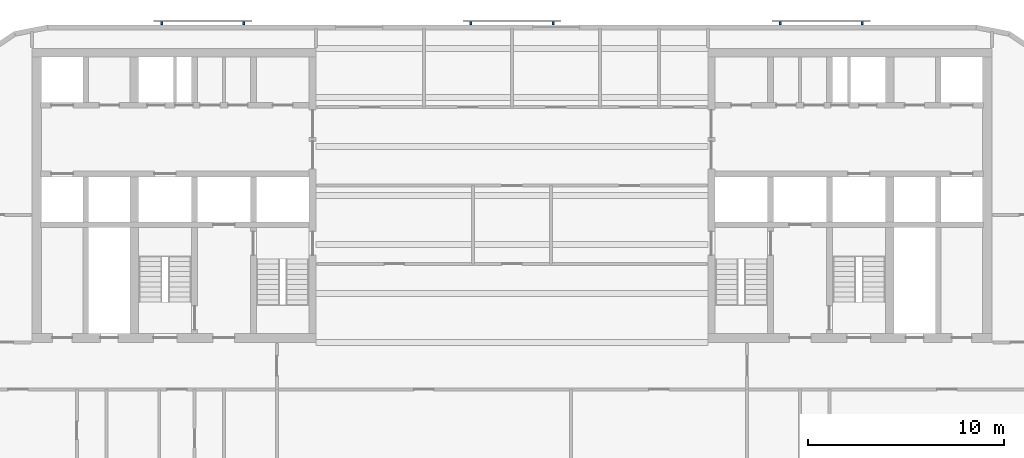
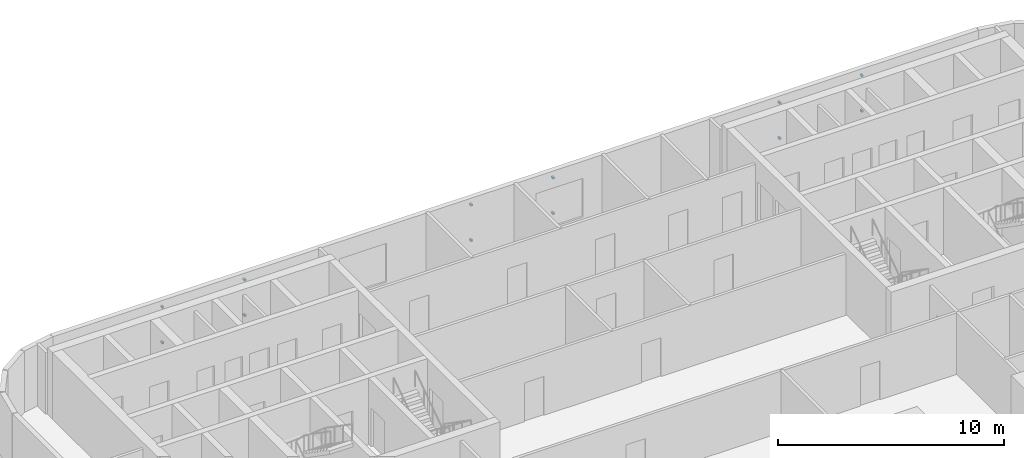
# One storey, part 8 of 11: 12 discrete accessories.
"""IFC4 building model written with IfcOpenShell, lengths in metres."""

import ifcopenshell
import ifcopenshell.guid

model = None  # the IFC model being written
_history = None  # IfcOwnerHistory: only IFC2X3 demands one
_inside = {}  # id of a spatial element -> (the spatial element, [elements in it])
_under = {}  # id of a project, library or spatial element -> (it, [spatial elements below it])
_declared = {}  # id of a project -> (the project, [libraries it declares])
_typed = {}  # id of a type object -> (the type object, [elements of that type])
_made_of = {}  # id of a material, layer set ... -> (it, [elements and type objects made of it])


def new_model(schema):
    """Start an empty IFC model of exactly this schema.

    Asked for "IFC4X3", IfcOpenShell would pick the latest addendum, in which some entities
    have other attributes; the version numbers below select the first issue.
    IFC2X3 requires an IfcOwnerHistory on every rooted entity: one is made here for all.
    """
    global model, _history
    if schema == "IFC4X3":
        model = ifcopenshell.file(schema_version=(4, 3, 0, 0))
    else:
        model = ifcopenshell.file(schema=schema)
    _inside.clear()
    _under.clear()
    _declared.clear()
    _typed.clear()
    _made_of.clear()
    _history = None
    if model.schema == "IFC2X3":
        org = make("IfcOrganization", Name="unknown")
        user = make(
            "IfcPersonAndOrganization",
            ThePerson=make("IfcPerson", FamilyName="unknown"),
            TheOrganization=org,
        )
        app = make(
            "IfcApplication",
            ApplicationDeveloper=org,
            Version="unknown",
            ApplicationFullName="unknown",
            ApplicationIdentifier="unknown",
        )
        _history = make(
            "IfcOwnerHistory",
            OwningUser=user,
            OwningApplication=app,
            ChangeAction="ADDED",
            CreationDate=0,
        )
    return model


def make(cls, **values):
    """One entity of the class cls with the attributes given. An attribute that is None is left unset."""
    return model.create_entity(
        cls, **{name: value for name, value in values.items() if value is not None}
    )


def rooted(cls, **values):
    """An entity with a GlobalId (a new one), such as an element, a storey or a relation."""
    return make(cls, GlobalId=ifcopenshell.guid.new(), OwnerHistory=_history, **values)


def si_unit(unit_type, name, prefix=None):
    """IfcSIUnit, for example si_unit("LENGTHUNIT", "METRE", prefix="MILLI")."""
    return make("IfcSIUnit", UnitType=unit_type, Prefix=prefix, Name=name)


def assignment(units):
    """IfcUnitAssignment: the units of a project."""
    return None if units is None else make("IfcUnitAssignment", Units=units)


def point(xyz):
    """IfcCartesianPoint."""
    return None if xyz is None else make("IfcCartesianPoint", Coordinates=xyz)


def direction(xyz):
    """IfcDirection."""
    return None if xyz is None else make("IfcDirection", DirectionRatios=xyz)


def frame(location, z_axis=None, x_axis=None):
    """IfcAxis2Placement3D, a coordinate frame: its origin and axes. An axis left out is left unset."""
    return make(
        "IfcAxis2Placement3D",
        Location=point(location),
        Axis=direction(z_axis),
        RefDirection=direction(x_axis),
    )


def frame_2d(location, x_axis=None):
    """IfcAxis2Placement2D, a coordinate frame in the plane: its origin and x axis."""
    return make(
        "IfcAxis2Placement2D", Location=point(location), RefDirection=direction(x_axis)
    )


def origin():
    """The frame at (0, 0, 0) with its axes left unset."""
    return frame((0.0, 0.0, 0.0))


def origin_2d():
    """The frame at (0, 0) in the plane with its x axis left unset."""
    return frame_2d((0.0, 0.0))


def place(relative_to, where):
    """IfcLocalPlacement: puts the frame where relative to a parent placement (None: the world)."""
    return make(
        "IfcLocalPlacement", PlacementRelTo=relative_to, RelativePlacement=where
    )


def context(
    kind, dimensions, precision=None, world=None, true_north=None, identifier=None
):
    """IfcGeometricRepresentationContext, for example the 3D "Model" context."""
    return make(
        "IfcGeometricRepresentationContext",
        ContextIdentifier=identifier,
        ContextType=kind,
        CoordinateSpaceDimension=dimensions,
        Precision=precision,
        WorldCoordinateSystem=world,
        TrueNorth=true_north,
    )


def subcontext(parent, identifier, kind, view, scale=None):
    """IfcGeometricRepresentationSubContext, for example "Body" below "Model"."""
    return make(
        "IfcGeometricRepresentationSubContext",
        ContextIdentifier=identifier,
        ContextType=kind,
        ParentContext=parent,
        TargetScale=scale,
        TargetView=view,
    )


def project(units=None, contexts=None):
    """IfcProject with its units and contexts."""
    return rooted(
        "IfcProject",
        Name="project",
        RepresentationContexts=contexts,
        UnitsInContext=assignment(units),
    )


def spatial(cls, under=None, at=None, **own):
    """A site, building, storey or space (cls), placed at a placement, below another one or the project."""
    s = rooted(cls, ObjectPlacement=at, **own)
    if under is not None:
        _under.setdefault(under.id(), (under, []))[1].append(s)
    return s


def profile(cls, at=None, kind="AREA", **sizes):
    """A parametric profile (cls). Its sizes go by their IFC names, for example OverallWidth=200.0."""
    return make(cls, ProfileType=kind, Position=at, **sizes)


def rectangle(**sizes):
    """IfcRectangleProfileDef."""
    return profile("IfcRectangleProfileDef", **sizes)


def extrude(swept, where, along, depth):
    """IfcExtrudedAreaSolid: the profile swept, set in the frame where, extruded along a direction by depth."""
    return make(
        "IfcExtrudedAreaSolid",
        SweptArea=swept,
        Position=where,
        ExtrudedDirection=direction(along),
        Depth=depth,
    )


def shape(context_of_items, identifier, shape_type, items):
    """IfcShapeRepresentation: the items that make up one representation, for example the "Body"."""
    return make(
        "IfcShapeRepresentation",
        ContextOfItems=context_of_items,
        RepresentationIdentifier=identifier,
        RepresentationType=shape_type,
        Items=items,
    )


def material(Name=None, Category=None):
    """IfcMaterial."""
    return make("IfcMaterial", Name=Name, Category=Category)


def made_of(thing, what):
    """Note that an element or type object is made of a material, layer set ...; save() writes the relation."""
    if what is not None:
        _made_of.setdefault(what.id(), (what, []))[1].append(thing)
    return thing


def type_object(cls, material=None, **own):
    """A type object (cls), such as IfcWallType, which elements share."""
    return made_of(rooted(cls, **own), material)


def element(
    cls,
    number,
    at=None,
    inside=None,
    cuts=None,
    type_object=None,
    material=None,
    context=None,
    identifier="Body",
    shape_type=None,
    held_by="IfcProductDefinitionShape",
    body=None,
    shapes=None,
    **own,
):
    """One element of the class cls, such as IfcWall. Its Tag is "e" and its number.

    at: its placement. inside: the storey or other place that contains it. cuts: it is an
    opening in that element (IfcRelVoidsElement). A single representation is given by context,
    identifier, shape_type and body (its items); several are given by shapes. held_by: the class
    of the entity that holds the representations. save() writes the other relations.
    """
    e = rooted(cls, Tag="e%d" % number, ObjectPlacement=at, **own)
    if body is not None:
        shapes = [shape(context, identifier, shape_type, body)]
    if shapes is not None:
        e.Representation = make(held_by, Representations=shapes)
    if inside is not None:
        _inside.setdefault(inside.id(), (inside, []))[1].append(e)
    if cuts is not None:
        rooted(
            "IfcRelVoidsElement", RelatingBuildingElement=cuts, RelatedOpeningElement=e
        )
    if type_object is not None:
        _typed.setdefault(type_object.id(), (type_object, []))[1].append(e)
    return made_of(e, material)


def aggregate(whole, parts):
    """IfcRelAggregates: a whole, such as a stair, and the parts it consists of."""
    return rooted("IfcRelAggregates", RelatingObject=whole, RelatedObjects=parts)


def save(model, path):
    """Write the relations noted so far, then the file.

    IfcRelAggregates (storeys below a building ...), IfcRelContainedInSpatialStructure (elements
    in a storey), IfcRelDefinesByType, IfcRelAssociatesMaterial and IfcRelDeclares: one each for
    every whole, place, type object, material and project.
    """
    for whole, parts in _under.values():
        aggregate(whole, parts)
    for where, things in _inside.values():
        rooted(
            "IfcRelContainedInSpatialStructure",
            RelatedElements=things,
            RelatingStructure=where,
        )
    for kind, things in _typed.values():
        rooted("IfcRelDefinesByType", RelatedObjects=things, RelatingType=kind)
    for what, things in _made_of.values():
        rooted("IfcRelAssociatesMaterial", RelatedObjects=things, RelatingMaterial=what)
    for by, libraries in _declared.values():
        rooted("IfcRelDeclares", RelatingContext=by, RelatedDefinitions=libraries)
    model.write(path)


model = new_model("IFC4")

# Units and contexts
model_context = context("Model", 3, precision=1e-05, world=origin(), true_north=direction((0.0, 1.0)))
body_context = subcontext(model_context, "Body", "Model", "MODEL_VIEW")
ifc_project = project(units=[si_unit("LENGTHUNIT", "METRE"), si_unit("AREAUNIT", "SQUARE_METRE"), si_unit("VOLUMEUNIT", "CUBIC_METRE"), si_unit("PLANEANGLEUNIT", "RADIAN"), si_unit("MASSUNIT", "GRAM", prefix="KILO")], contexts=[model_context])

# Site, building, storey
site_placement = place(None, origin())
site = spatial("IfcSite", under=ifc_project, at=site_placement, CompositionType="ELEMENT")
building_placement = place(site_placement, origin())
building = spatial("IfcBuilding", under=site, at=building_placement, Name="Torana Hotel and Residences", CompositionType="ELEMENT")
storey_placement = place(building_placement, frame((0.0, 0.0, 170.39990234375)))
storey = spatial("IfcBuildingStorey", under=building, at=storey_placement, Name="L44", CompositionType="ELEMENT", Elevation=170.39990234375)

# Discrete accessories
ifc_material = material(Name="Steel S355", Category="steel")
discrete_accessory_type = type_object("IfcDiscreteAccessoryType", Name="SCREEN BRACKET 100", PredefinedType="BRACKET", material=ifc_material)
for number, where, z_axis, x_axis, name in (
    (1, (17.883544921875, 1.27490234375, 0.75), (0.0, 0.0, 1.0), (-1.0, 0.0, 0.0), "Screen bracket L44"),
    (2, (17.883544921875, 1.27490234375, 2.670166015625), (0.0, 0.0, 1.0), (-1.0, 0.0, 0.0), "Screen bracket L44"),
    (3, (13.68359375, 1.27490234375, 0.75), (0.0, 0.0, 1.0), (-1.0, 0.0, 0.0), "Screen bracket L44"),
    (4, (13.68359375, 1.27490234375, 2.670166015625), (0.0, 0.0, 1.0), (-1.0, 0.0, 0.0), "Screen bracket L44"),
    (5, (2.10009765625, 1.27490234375, 0.75), (0.0, 0.0, 1.0), (-1.0, 0.0, 0.0), "Screen bracket L44"),
    (6, (2.10009765625, 1.27490234375, 2.670166015625), (0.0, 0.0, 1.0), (-1.0, 0.0, 0.0), "Screen bracket L44"),
    (7, (-2.10009765625, 1.27490234375, 0.75), (0.0, 0.0, 1.0), (-1.0, 0.0, 0.0), "Screen bracket L44"),
    (8, (-2.10009765625, 1.27490234375, 2.670166015625), (0.0, 0.0, 1.0), (-1.0, 0.0, 0.0), "Screen bracket L44"),
    (9, (-13.68359375, 1.27490234375, 0.75), (0.0, 0.0, 1.0), (-1.0, 0.0, 0.0), "Screen bracket L44"),
    (10, (-13.68359375, 1.27490234375, 2.670166015625), (0.0, 0.0, 1.0), (-1.0, 0.0, 0.0), "Screen bracket L44"),
    (11, (-17.883544921875, 1.27490234375, 0.75), (0.0, 0.0, 1.0), (-1.0, 0.0, 0.0), "Screen bracket L44"),
    (12, (-17.883544921875, 1.27490234375, 2.670166015625), (0.0, 0.0, 1.0), (-1.0, 0.0, 0.0), "Screen bracket L44"),
):
    element("IfcDiscreteAccessory", number, at=place(storey_placement, frame(where, z_axis=z_axis, x_axis=x_axis)), inside=storey, type_object=discrete_accessory_type, Name=name, PredefinedType="BRACKET", context=body_context, shape_type="SweptSolid", body=[
        extrude(rectangle(XDim=0.10009765625, YDim=0.14990234375, at=origin_2d()), origin(), (0.0, 0.0, 1.0), 0.10009765625),
    ])

save(model, "model.ifc")
